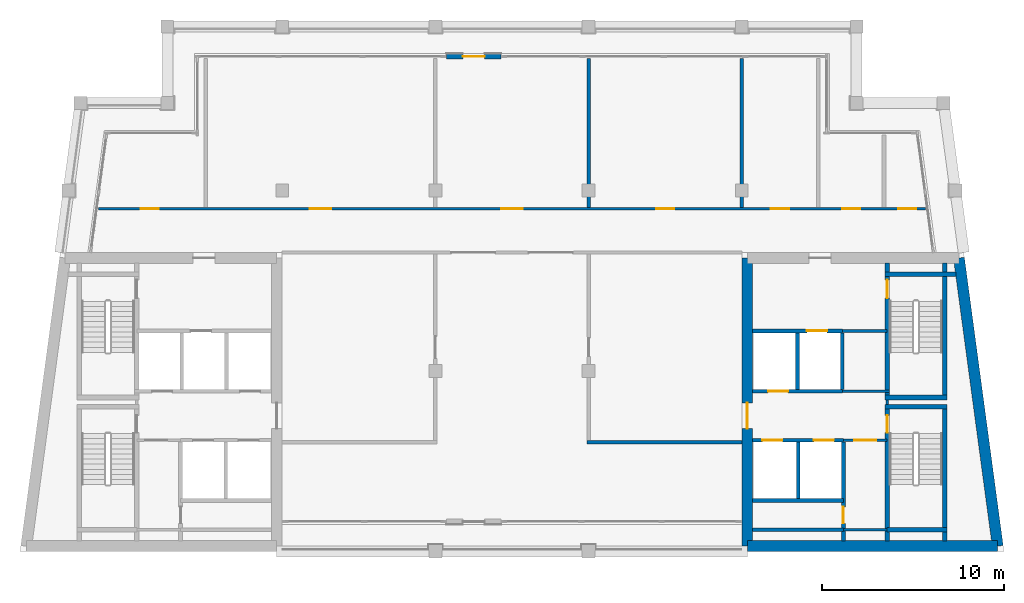
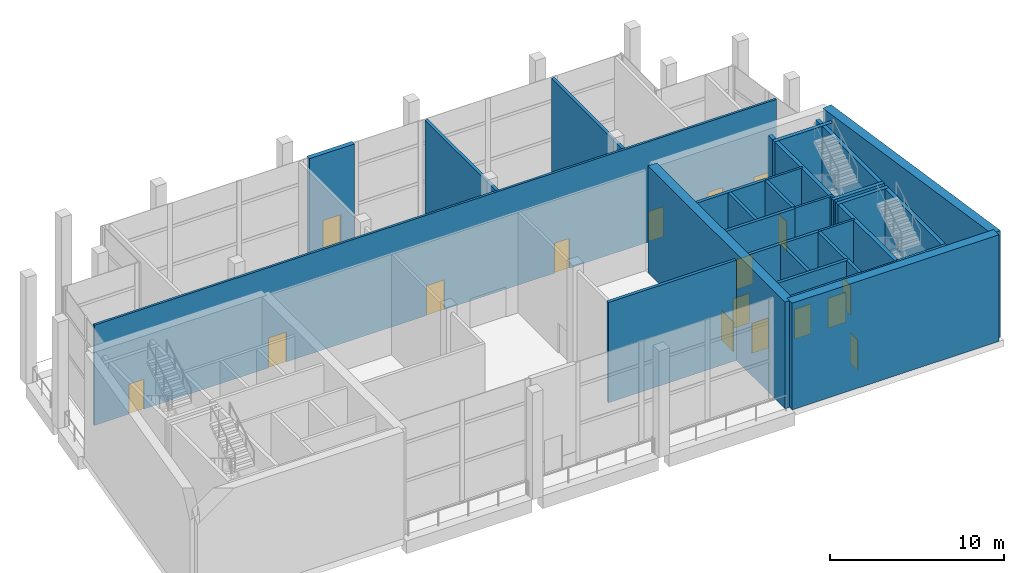
# One storey, part 5 of 9: 30 walls, 17 doors, 17 openings.
"""IFC4 building model written with IfcOpenShell, lengths in metres."""

from ifc_helpers import new_model, si_unit, direction, frame, frame_2d, origin, place, context, subcontext, project, spatial, rectangle, extrude, material, layer, layer_set, type_object, element, fill, save


model = new_model("IFC4")

# Units and contexts
model_context = context("Model", 3, precision=1e-05, world=origin(), true_north=direction((0.0, 1.0)))
body_context = subcontext(model_context, "Body", "Model", "MODEL_VIEW")
ifc_project = project(units=[si_unit("LENGTHUNIT", "METRE"), si_unit("AREAUNIT", "SQUARE_METRE"), si_unit("VOLUMEUNIT", "CUBIC_METRE"), si_unit("PLANEANGLEUNIT", "RADIAN"), si_unit("MASSUNIT", "GRAM", prefix="KILO")], contexts=[model_context])

# Site, building, storey
site_placement = place(None, origin())
site = spatial("IfcSite", under=ifc_project, at=site_placement, CompositionType="ELEMENT")
building_placement = place(site_placement, origin())
building = spatial("IfcBuilding", under=site, at=building_placement, Name="Candeia Pilgrim Tower and Theatre", CompositionType="ELEMENT")
storey_placement = place(building_placement, frame((0.0, 0.0, 307.89990234375)))
storey = spatial("IfcBuildingStorey", under=building, at=storey_placement, Name="L75", CompositionType="ELEMENT", Elevation=307.89990234375)

# Walls
ifc_material_1 = material(Name="Concrete C40/50", Category="concrete")
ifc_layer_1 = layer(ifc_material_1, 0.60009765625)
ifc_layer_set_1 = layer_set([ifc_layer_1], Name="Core wall 600 C40/50")
wall_type_1 = type_object("IfcWallType", Name="Core wall 600 C40/50", PredefinedType="SHEAR", material=ifc_layer_set_1)
wall_1_placement = place(storey_placement, frame((137.906982421875, 132.10009765625, 0.0), z_axis=(0.0, 0.0, 1.0), x_axis=(0.13341345841, -0.991060466932, 0.0)))
element("IfcWall", 1, at=wall_1_placement, inside=storey, type_object=wall_type_1, Name="Core wall E2", PredefinedType="SHEAR", context=body_context, shape_type="SweptSolid", body=[
    extrude(rectangle(XDim=15.942626953125, YDim=0.60009765625, at=frame_2d((7.97119140625, 0.0))), origin(), (0.0, 0.0, 1.0), 7.5),
])
wall_2_placement = place(storey_placement, frame((140.033935546875, 116.300048828125, 0.0), z_axis=(0.0, 0.0, 1.0), x_axis=(-1.0, 0.0, 0.0)))
element("IfcWall", 2, at=wall_2_placement, inside=storey, type_object=wall_type_1, Name="Core wall E3", PredefinedType="SHEAR", context=body_context, shape_type="SweptSolid", body=[
    extrude(rectangle(XDim=13.73388671875, YDim=0.60009765625, at=frame_2d((6.866943359375, 0.0))), origin(), (0.0, 0.0, 1.0), 7.5),
])

# Wall, opening, door
wall_3_placement = place(storey_placement, frame((126.300048828125, 116.300048828125, 0.0), z_axis=(0.0, 0.0, 1.0), x_axis=(0.0, 1.0, 0.0)))
wall_3 = element("IfcWall", 3, at=wall_3_placement, inside=storey, type_object=wall_type_1, Name="Core wall E4", PredefinedType="SHEAR", context=body_context, shape_type="SweptSolid", body=[
    extrude(rectangle(XDim=15.800048828125, YDim=0.60009765625, at=frame_2d((7.89990234375, 0.0))), origin(), (0.0, 0.0, 1.0), 7.5),
])
opening_1_placement = place(wall_3_placement, frame((6.449951171875, 0.0, 0.0)))
opening_1 = element("IfcOpeningElement", 4, at=opening_1_placement, cuts=wall_3, Name="Opening L75-D023", PredefinedType="OPENING", context=body_context, shape_type="SweptSolid", body=[
    extrude(rectangle(XDim=1.39990234375, YDim=2.10009765625, at=frame_2d((0.699951171875, 1.050048828125))), frame((0.0, 0.31005859375, 0.0), z_axis=(0.0, -1.0, 0.0), x_axis=(1.0, 0.0, 0.0)), (0.0, 0.0, 1.0), 0.6201171875),
])
ifc_material_2 = material(Name="Steel fire door set", Category="steel")
door_type_1 = type_object("IfcDoorType", Name="D-1400-FD60", OperationType="NOTDEFINED", PredefinedType="DOOR", material=ifc_material_2)
door_1_placement = place(opening_1_placement, origin())
door_1 = element("IfcDoor", 5, at=door_1_placement, inside=storey, type_object=door_type_1, Name="Door L75-D023", OperationType="SINGLE_SWING_LEFT", OverallHeight=2.10009765625, OverallWidth=1.39990234375, PredefinedType="DOOR", context=body_context, shape_type="SweptSolid", body=[
    extrude(rectangle(XDim=1.39990234375, YDim=2.10009765625, at=frame_2d((0.699951171875, 1.050048828125))), frame((0.0, 0.02490234375, 0.0), z_axis=(0.0, -1.0, 0.0), x_axis=(1.0, 0.0, 0.0)), (0.0, 0.0, 1.0), 0.050048828125),
])
fill(opening_1, door_1)

ifc_material_3 = material(Name="Ceramic block masonry", Category="masonry")
ifc_layer_2 = layer(ifc_material_3, 0.300048828125)
ifc_layer_set_2 = layer_set([ifc_layer_2], Name="EW2 entrance infill wall 300")
wall_type_2 = type_object("IfcWallType", Name="EW2 entrance infill wall 300", PredefinedType="SOLIDWALL", material=ifc_layer_set_2)
wall_4_placement = place(storey_placement, frame((112.800048828125, 143.14990234375, 0.0), z_axis=(0.0, 0.0, 1.0), x_axis=(-1.0, 0.0, 0.0)))
wall_4 = element("IfcWall", 6, at=wall_4_placement, inside=storey, type_object=wall_type_2, Name="Infill wall L75", PredefinedType="SOLIDWALL", context=body_context, shape_type="SweptSolid", body=[
    extrude(rectangle(XDim=3.0, YDim=0.300048828125, at=frame_2d((1.5, 0.0))), origin(), (0.0, 0.0, 1.0), 7.050048828125),
])
opening_2_placement = place(wall_4_placement, frame((0.89990234375, 0.0, 0.0)))
opening_2 = element("IfcOpeningElement", 7, at=opening_2_placement, cuts=wall_4, Name="Opening L75-ED692", PredefinedType="OPENING", context=body_context, shape_type="SweptSolid", body=[
    extrude(rectangle(XDim=1.199951171875, YDim=2.39990234375, at=frame_2d((0.60009765625, 1.199951171875))), frame((0.0, 0.16015625, 0.0), z_axis=(0.0, -1.0, 0.0), x_axis=(1.0, 0.0, 0.0)), (0.0, 0.0, 1.0), 0.320068359375),
])
ifc_material_4 = material(Name="Aluminium framed glazed door", Category="aluminium")
door_type_2 = type_object("IfcDoorType", Name="Loggia door 1200x2400", OperationType="DOUBLE_DOOR_SINGLE_SWING", PredefinedType="DOOR", material=ifc_material_4)
door_2_placement = place(opening_2_placement, origin())
door_2 = element("IfcDoor", 8, at=door_2_placement, inside=storey, type_object=door_type_2, Name="Loggia door L75-ED692", OperationType="DOUBLE_DOOR_SINGLE_SWING", OverallHeight=2.39990234375, OverallWidth=1.199951171875, PredefinedType="DOOR", context=body_context, shape_type="SweptSolid", body=[
    extrude(rectangle(XDim=1.199951171875, YDim=2.39990234375, at=frame_2d((0.60009765625, 1.199951171875))), frame((0.0, 0.02490234375, 0.0), z_axis=(0.0, -1.0, 0.0), x_axis=(1.0, 0.0, 0.0)), (0.0, 0.0, 1.0), 0.050048828125),
])
fill(opening_2, door_2)

# Wall
ifc_material_5 = material(Name="Gypsum board partition on steel studs", Category="steel")
ifc_layer_3 = layer(ifc_material_5, 0.14990234375)
ifc_layer_set_3 = layer_set([ifc_layer_3], Name="PW-150 lobby wall")
wall_type_3 = type_object("IfcWallType", Name="PW-150 lobby wall", PredefinedType="PARTITIONING", material=ifc_layer_set_3)
wall_5_placement = place(storey_placement, frame((131.572998046875, 117.199951171875, 0.0), z_axis=(0.0, 0.0, 1.0), x_axis=(1.0, 0.0, 0.0)))
element("IfcWall", 9, at=wall_5_placement, inside=storey, type_object=wall_type_3, Name="Lobby wall L75-004", PredefinedType="PARTITIONING", context=body_context, shape_type="SweptSolid", body=[
    extrude(rectangle(XDim=2.39990234375, YDim=0.14990234375, at=frame_2d((1.199951171875, 0.0))), origin(), (0.0, 0.0, 1.0), 7.050048828125),
])

# Wall, opening, door
wall_6_placement = place(storey_placement, frame((131.572998046875, 122.10009765625, 0.0), z_axis=(0.0, 0.0, 1.0), x_axis=(1.0, 0.0, 0.0)))
wall_6 = element("IfcWall", 10, at=wall_6_placement, inside=storey, type_object=wall_type_3, Name="Lobby wall L75-014", PredefinedType="PARTITIONING", context=body_context, shape_type="SweptSolid", body=[
    extrude(rectangle(XDim=2.39990234375, YDim=0.14990234375, at=frame_2d((1.199951171875, 0.0))), origin(), (0.0, 0.0, 1.0), 7.050048828125),
])
opening_3_placement = place(wall_6_placement, frame((0.60009765625, 0.0, 0.0)))
opening_3 = element("IfcOpeningElement", 11, at=opening_3_placement, cuts=wall_6, Name="Opening L75-D016", PredefinedType="OPENING", context=body_context, shape_type="SweptSolid", body=[
    extrude(rectangle(XDim=1.199951171875, YDim=2.10009765625, at=frame_2d((0.60009765625, 1.050048828125))), frame((0.0, 0.0849609375, 0.0), z_axis=(0.0, -1.0, 0.0), x_axis=(1.0, 0.0, 0.0)), (0.0, 0.0, 1.0), 0.169921875),
])
door_type_3 = type_object("IfcDoorType", Name="D-1200-FD60", OperationType="NOTDEFINED", PredefinedType="DOOR", material=ifc_material_2)
door_3_placement = place(opening_3_placement, origin())
door_3 = element("IfcDoor", 12, at=door_3_placement, inside=storey, type_object=door_type_3, Name="Door L75-D016", OperationType="SINGLE_SWING_RIGHT", OverallHeight=2.10009765625, OverallWidth=1.199951171875, PredefinedType="DOOR", context=body_context, shape_type="SweptSolid", body=[
    extrude(rectangle(XDim=1.199951171875, YDim=2.10009765625, at=frame_2d((0.60009765625, 1.050048828125))), frame((0.0, 0.02490234375, 0.0), z_axis=(0.0, -1.0, 0.0), x_axis=(1.0, 0.0, 0.0)), (0.0, 0.0, 1.0), 0.050048828125),
])
fill(opening_3, door_3)

# Walls
wall_7_placement = place(storey_placement, frame((131.515380859375, 124.800048828125, 0.0), z_axis=(0.0, 0.0, 1.0), x_axis=(1.0, 0.0, 0.0)))
element("IfcWall", 13, at=wall_7_placement, inside=storey, type_object=wall_type_3, Name="Lobby wall L75-021", PredefinedType="PARTITIONING", context=body_context, shape_type="SweptSolid", body=[
    extrude(rectangle(XDim=2.58251953125, YDim=0.14990234375, at=frame_2d((1.291259765625, 0.0))), origin(), (0.0, 0.0, 1.0), 7.050048828125),
])
wall_8_placement = place(storey_placement, frame((131.515380859375, 128.10009765625, 0.0), z_axis=(0.0, 0.0, 1.0), x_axis=(1.0, 0.0, 0.0)))
element("IfcWall", 14, at=wall_8_placement, inside=storey, type_object=wall_type_3, Name="Lobby wall L75-024", PredefinedType="PARTITIONING", context=body_context, shape_type="SweptSolid", body=[
    extrude(rectangle(XDim=2.45751953125, YDim=0.14990234375, at=frame_2d((1.228759765625, 0.0))), origin(), (0.0, 0.0, 1.0), 7.050048828125),
])
wall_9_placement = place(storey_placement, frame((133.972900390625, 124.074951171875, 0.0), z_axis=(0.0, 0.0, 1.0), x_axis=(0.0, 1.0, 0.0)))
element("IfcWall", 15, at=wall_9_placement, inside=storey, type_object=wall_type_3, Name="Lobby wall L75-050", PredefinedType="PARTITIONING", context=body_context, shape_type="SweptSolid", body=[
    extrude(rectangle(XDim=0.25, YDim=0.14990234375, at=frame_2d((0.125, 0.0))), origin(), (0.0, 0.0, 1.0), 7.050048828125),
])

# Wall, openings, doors
ifc_layer_4 = layer(ifc_material_5, 0.14990234375)
ifc_layer_set_4 = layer_set([ifc_layer_4], Name="PW-150 unit wall")
wall_type_4 = type_object("IfcWallType", Name="PW-150 unit wall", PredefinedType="PARTITIONING", material=ifc_layer_set_4)
wall_10_placement = place(storey_placement, frame((90.729736328125, 134.800048828125, 0.0), z_axis=(0.0, 0.0, 1.0), x_axis=(1.0, 0.0, 0.0)))
wall_10 = element("IfcWall", 16, at=wall_10_placement, inside=storey, type_object=wall_type_4, Name="Unit wall L75-028", PredefinedType="PARTITIONING", context=body_context, shape_type="SweptSolid", body=[
    extrude(rectangle(XDim=45.340576171875, YDim=0.14990234375, at=frame_2d((22.67041015625, 0.0))), origin(), (0.0, 0.0, 1.0), 7.050048828125),
])
opening_4_placement = place(wall_10_placement, frame((2.30419921875, 0.0, 0.0)))
opening_4 = element("IfcOpeningElement", 17, at=opening_4_placement, cuts=wall_10, Name="Opening L75-D005", PredefinedType="OPENING", context=body_context, shape_type="SweptSolid", body=[
    extrude(rectangle(XDim=1.0, YDim=2.10009765625, at=frame_2d((0.5, 1.050048828125))), frame((0.0, 0.0849609375, 0.0), z_axis=(0.0, -1.0, 0.0), x_axis=(1.0, 0.0, 0.0)), (0.0, 0.0, 1.0), 0.169921875),
])
opening_5_placement = place(wall_10_placement, frame((22.0703125, 0.0, 0.0)))
opening_5 = element("IfcOpeningElement", 18, at=opening_5_placement, cuts=wall_10, Name="Opening L75-D006", PredefinedType="OPENING", context=body_context, shape_type="SweptSolid", body=[
    extrude(rectangle(XDim=1.199951171875, YDim=2.10009765625, at=frame_2d((0.60009765625, 1.050048828125))), frame((0.0, 0.0849609375, 0.0), z_axis=(0.0, -1.0, 0.0), x_axis=(1.0, 0.0, 0.0)), (0.0, 0.0, 1.0), 0.169921875),
])
opening_6_placement = place(wall_10_placement, frame((30.5703125, 0.0, 0.0)))
opening_6 = element("IfcOpeningElement", 19, at=opening_6_placement, cuts=wall_10, Name="Opening L75-D007", PredefinedType="OPENING", context=body_context, shape_type="SweptSolid", body=[
    extrude(rectangle(XDim=1.0, YDim=2.10009765625, at=frame_2d((0.5, 1.050048828125))), frame((0.0, 0.0849609375, 0.0), z_axis=(0.0, -1.0, 0.0), x_axis=(1.0, 0.0, 0.0)), (0.0, 0.0, 1.0), 0.169921875),
])
opening_7_placement = place(wall_10_placement, frame((36.870361328125, 0.0, 0.0)))
opening_7 = element("IfcOpeningElement", 20, at=opening_7_placement, cuts=wall_10, Name="Opening L75-D008", PredefinedType="OPENING", context=body_context, shape_type="SweptSolid", body=[
    extrude(rectangle(XDim=1.0, YDim=2.10009765625, at=frame_2d((0.5, 1.050048828125))), frame((0.0, 0.0849609375, 0.0), z_axis=(0.0, -1.0, 0.0), x_axis=(1.0, 0.0, 0.0)), (0.0, 0.0, 1.0), 0.169921875),
])
opening_8_placement = place(wall_10_placement, frame((40.770263671875, 0.0, 0.0)))
opening_8 = element("IfcOpeningElement", 21, at=opening_8_placement, cuts=wall_10, Name="Opening L75-D009", PredefinedType="OPENING", context=body_context, shape_type="SweptSolid", body=[
    extrude(rectangle(XDim=1.0, YDim=2.10009765625, at=frame_2d((0.5, 1.050048828125))), frame((0.0, 0.0849609375, 0.0), z_axis=(0.0, -1.0, 0.0), x_axis=(1.0, 0.0, 0.0)), (0.0, 0.0, 1.0), 0.169921875),
])
opening_9_placement = place(wall_10_placement, frame((43.836181640625, 0.0, 0.0)))
opening_9 = element("IfcOpeningElement", 22, at=opening_9_placement, cuts=wall_10, Name="Opening L75-D010", PredefinedType="OPENING", context=body_context, shape_type="SweptSolid", body=[
    extrude(rectangle(XDim=1.0, YDim=2.10009765625, at=frame_2d((0.5, 1.050048828125))), frame((0.0, 0.0849609375, 0.0), z_axis=(0.0, -1.0, 0.0), x_axis=(1.0, 0.0, 0.0)), (0.0, 0.0, 1.0), 0.169921875),
])
opening_10_placement = place(wall_10_placement, frame((11.5703125, 0.0, 0.0)))
opening_10 = element("IfcOpeningElement", 23, at=opening_10_placement, cuts=wall_10, Name="Opening L75-D011", PredefinedType="OPENING", context=body_context, shape_type="SweptSolid", body=[
    extrude(rectangle(XDim=1.199951171875, YDim=2.10009765625, at=frame_2d((0.60009765625, 1.050048828125))), frame((0.0, 0.0849609375, 0.0), z_axis=(0.0, -1.0, 0.0), x_axis=(1.0, 0.0, 0.0)), (0.0, 0.0, 1.0), 0.169921875),
])
door_type_4 = type_object("IfcDoorType", Name="D-1000-FD30S", OperationType="NOTDEFINED", PredefinedType="DOOR", material=ifc_material_2)
door_4_placement = place(opening_4_placement, origin())
door_4 = element("IfcDoor", 24, at=door_4_placement, inside=storey, type_object=door_type_4, Name="Door L75-D005", OperationType="SINGLE_SWING_RIGHT", OverallHeight=2.10009765625, OverallWidth=1.0, PredefinedType="DOOR", context=body_context, shape_type="SweptSolid", body=[
    extrude(rectangle(XDim=1.0, YDim=2.10009765625, at=frame_2d((0.5, 1.050048828125))), frame((0.0, 0.02490234375, 0.0), z_axis=(0.0, -1.0, 0.0), x_axis=(1.0, 0.0, 0.0)), (0.0, 0.0, 1.0), 0.050048828125),
])
fill(opening_4, door_4)
door_5_placement = place(opening_6_placement, origin())
door_5 = element("IfcDoor", 25, at=door_5_placement, inside=storey, type_object=door_type_4, Name="Door L75-D007", OperationType="SINGLE_SWING_RIGHT", OverallHeight=2.10009765625, OverallWidth=1.0, PredefinedType="DOOR", context=body_context, shape_type="SweptSolid", body=[
    extrude(rectangle(XDim=1.0, YDim=2.10009765625, at=frame_2d((0.5, 1.050048828125))), frame((0.0, 0.02490234375, 0.0), z_axis=(0.0, -1.0, 0.0), x_axis=(1.0, 0.0, 0.0)), (0.0, 0.0, 1.0), 0.050048828125),
])
fill(opening_6, door_5)
door_6_placement = place(opening_7_placement, origin())
door_6 = element("IfcDoor", 26, at=door_6_placement, inside=storey, type_object=door_type_4, Name="Door L75-D008", OperationType="SINGLE_SWING_LEFT", OverallHeight=2.10009765625, OverallWidth=1.0, PredefinedType="DOOR", context=body_context, shape_type="SweptSolid", body=[
    extrude(rectangle(XDim=1.0, YDim=2.10009765625, at=frame_2d((0.5, 1.050048828125))), frame((0.0, 0.02490234375, 0.0), z_axis=(0.0, -1.0, 0.0), x_axis=(1.0, 0.0, 0.0)), (0.0, 0.0, 1.0), 0.050048828125),
])
fill(opening_7, door_6)
door_7_placement = place(opening_8_placement, origin())
door_7 = element("IfcDoor", 27, at=door_7_placement, inside=storey, type_object=door_type_4, Name="Door L75-D009", OperationType="SINGLE_SWING_RIGHT", OverallHeight=2.10009765625, OverallWidth=1.0, PredefinedType="DOOR", context=body_context, shape_type="SweptSolid", body=[
    extrude(rectangle(XDim=1.0, YDim=2.10009765625, at=frame_2d((0.5, 1.050048828125))), frame((0.0, 0.02490234375, 0.0), z_axis=(0.0, -1.0, 0.0), x_axis=(1.0, 0.0, 0.0)), (0.0, 0.0, 1.0), 0.050048828125),
])
fill(opening_8, door_7)
door_8_placement = place(opening_9_placement, origin())
door_8 = element("IfcDoor", 28, at=door_8_placement, inside=storey, type_object=door_type_4, Name="Door L75-D010", OperationType="SINGLE_SWING_LEFT", OverallHeight=2.10009765625, OverallWidth=1.0, PredefinedType="DOOR", context=body_context, shape_type="SweptSolid", body=[
    extrude(rectangle(XDim=1.0, YDim=2.10009765625, at=frame_2d((0.5, 1.050048828125))), frame((0.0, 0.02490234375, 0.0), z_axis=(0.0, -1.0, 0.0), x_axis=(1.0, 0.0, 0.0)), (0.0, 0.0, 1.0), 0.050048828125),
])
fill(opening_9, door_8)
door_type_5 = type_object("IfcDoorType", Name="D-1200-FD30S", OperationType="NOTDEFINED", PredefinedType="DOOR", material=ifc_material_2)
door_9_placement = place(opening_5_placement, origin())
door_9 = element("IfcDoor", 29, at=door_9_placement, inside=storey, type_object=door_type_5, Name="Door L75-D006", OperationType="SINGLE_SWING_LEFT", OverallHeight=2.10009765625, OverallWidth=1.199951171875, PredefinedType="DOOR", context=body_context, shape_type="SweptSolid", body=[
    extrude(rectangle(XDim=1.199951171875, YDim=2.10009765625, at=frame_2d((0.60009765625, 1.050048828125))), frame((0.0, 0.02490234375, 0.0), z_axis=(0.0, -1.0, 0.0), x_axis=(1.0, 0.0, 0.0)), (0.0, 0.0, 1.0), 0.050048828125),
])
fill(opening_5, door_9)
door_10_placement = place(opening_10_placement, origin())
door_10 = element("IfcDoor", 30, at=door_10_placement, inside=storey, type_object=door_type_3, Name="Door L75-D011", OperationType="SINGLE_SWING_RIGHT", OverallHeight=2.10009765625, OverallWidth=1.199951171875, PredefinedType="DOOR", context=body_context, shape_type="SweptSolid", body=[
    extrude(rectangle(XDim=1.199951171875, YDim=2.10009765625, at=frame_2d((0.60009765625, 1.050048828125))), frame((0.0, 0.02490234375, 0.0), z_axis=(0.0, -1.0, 0.0), x_axis=(1.0, 0.0, 0.0)), (0.0, 0.0, 1.0), 0.050048828125),
])
fill(opening_10, door_10)

# Walls
ifc_layer_5 = layer(ifc_material_5, 0.199951171875)
ifc_layer_set_5 = layer_set([ifc_layer_5], Name="PW-200 party wall")
wall_type_5 = type_object("IfcWallType", Name="PW-200 party wall", PredefinedType="PARTITIONING", material=ifc_layer_set_5)
wall_11_placement = place(storey_placement, frame((117.5, 122.0, 0.0), z_axis=(0.0, 0.0, 1.0), x_axis=(1.0, 0.0, 0.0)))
element("IfcWall", 31, at=wall_11_placement, inside=storey, type_object=wall_type_5, Name="Party wall L75-010", PredefinedType="PARTITIONING", context=body_context, shape_type="SweptSolid", body=[
    extrude(rectangle(XDim=8.5, YDim=0.199951171875, at=frame_2d((4.25, 0.0))), origin(), (0.0, 0.0, 1.0), 7.050048828125),
])
for number, where, z_axis, x_axis, name in (
    (32, (117.60009765625, 134.875, 0.0), (0.0, 0.0, 1.0), (0.0, 1.0, 0.0), "Party wall L75-042"),
    (33, (126.0, 134.875, 0.0), (0.0, 0.0, 1.0), (0.0, 1.0, 0.0), "Party wall L75-043"),
):
    element("IfcWall", number, at=place(storey_placement, frame(where, z_axis=z_axis, x_axis=x_axis)), inside=storey, type_object=wall_type_5, Name=name, PredefinedType="PARTITIONING", context=body_context, shape_type="SweptSolid", body=[
        extrude(rectangle(XDim=8.1650390625, YDim=0.199951171875, at=frame_2d((4.08251953125, 0.0))), origin(), (0.0, 0.0, 1.0), 7.050048828125),
    ])
ifc_layer_6 = layer(ifc_material_1, 0.199951171875)
ifc_layer_set_6 = layer_set([ifc_layer_6], Name="SW-200 shaft wall")
wall_type_6 = type_object("IfcWallType", Name="SW-200 shaft wall", PredefinedType="PARTITIONING", material=ifc_layer_set_6)
for number, where, z_axis, x_axis, name in (
    (34, (126.60009765625, 117.199951171875, 0.0), (0.0, 0.0, 1.0), (1.0, 0.0, 0.0), "Shaft wall L75-002"),
    (35, (126.60009765625, 118.800048828125, 0.0), (0.0, 0.0, 1.0), (1.0, 0.0, 0.0), "Shaft wall L75-008"),
):
    element("IfcWall", number, at=place(storey_placement, frame(where, z_axis=z_axis, x_axis=x_axis)), inside=storey, type_object=wall_type_6, Name=name, PredefinedType="PARTITIONING", context=body_context, shape_type="SweptSolid", body=[
        extrude(rectangle(XDim=4.972900390625, YDim=0.199951171875, at=frame_2d((2.486328125, 0.0))), origin(), (0.0, 0.0, 1.0), 7.050048828125),
    ])

# Wall, openings, doors
wall_12_placement = place(storey_placement, frame((126.60009765625, 122.10009765625, 0.0), z_axis=(0.0, 0.0, 1.0), x_axis=(1.0, 0.0, 0.0)))
wall_12 = element("IfcWall", 36, at=wall_12_placement, inside=storey, type_object=wall_type_6, Name="Shaft wall L75-012", PredefinedType="PARTITIONING", context=body_context, shape_type="SweptSolid", body=[
    extrude(rectangle(XDim=4.972900390625, YDim=0.199951171875, at=frame_2d((2.486328125, 0.0))), origin(), (0.0, 0.0, 1.0), 7.050048828125),
])
opening_11_placement = place(wall_12_placement, frame((3.35107421875, 0.0, 0.0)))
opening_11 = element("IfcOpeningElement", 37, at=opening_11_placement, cuts=wall_12, Name="Opening L75-LD06", PredefinedType="OPENING", context=body_context, shape_type="SweptSolid", body=[
    extrude(rectangle(XDim=1.10009765625, YDim=2.10009765625, at=frame_2d((0.550048828125, 1.050048828125))), frame((0.0, 0.10986328125, 0.0), z_axis=(0.0, -1.0, 0.0), x_axis=(1.0, 0.0, 0.0)), (0.0, 0.0, 1.0), 0.219970703125),
])
opening_12_placement = place(wall_12_placement, frame((0.52197265625, 0.0, 0.0)))
opening_12 = element("IfcOpeningElement", 38, at=opening_12_placement, cuts=wall_12, Name="Opening L75-LD07", PredefinedType="OPENING", context=body_context, shape_type="SweptSolid", body=[
    extrude(rectangle(XDim=1.10009765625, YDim=2.10009765625, at=frame_2d((0.550048828125, 1.050048828125))), frame((0.0, 0.10986328125, 0.0), z_axis=(0.0, -1.0, 0.0), x_axis=(1.0, 0.0, 0.0)), (0.0, 0.0, 1.0), 0.219970703125),
])
ifc_material_6 = material(Name="Glazed aluminium landing door", Category="aluminium")
door_type_6 = type_object("IfcDoorType", Name="LD-1100-EI120", OperationType="SLIDING_TO_LEFT", PredefinedType="DOOR", material=ifc_material_6)
door_11_placement = place(opening_11_placement, origin())
door_11 = element("IfcDoor", 39, at=door_11_placement, inside=storey, type_object=door_type_6, Name="Landing door 06 L75", OperationType="SLIDING_TO_LEFT", OverallHeight=2.10009765625, OverallWidth=1.10009765625, PredefinedType="DOOR", context=body_context, shape_type="SweptSolid", body=[
    extrude(rectangle(XDim=1.10009765625, YDim=2.10009765625, at=frame_2d((0.550048828125, 1.050048828125))), frame((0.0, 0.02490234375, 0.0), z_axis=(0.0, -1.0, 0.0), x_axis=(1.0, 0.0, 0.0)), (0.0, 0.0, 1.0), 0.050048828125),
])
fill(opening_11, door_11)
door_12_placement = place(opening_12_placement, origin())
door_12 = element("IfcDoor", 40, at=door_12_placement, inside=storey, type_object=door_type_6, Name="Landing door 07 L75", OperationType="SLIDING_TO_LEFT", OverallHeight=2.10009765625, OverallWidth=1.10009765625, PredefinedType="DOOR", context=body_context, shape_type="SweptSolid", body=[
    extrude(rectangle(XDim=1.10009765625, YDim=2.10009765625, at=frame_2d((0.550048828125, 1.050048828125))), frame((0.0, 0.02490234375, 0.0), z_axis=(0.0, -1.0, 0.0), x_axis=(1.0, 0.0, 0.0)), (0.0, 0.0, 1.0), 0.050048828125),
])
fill(opening_12, door_12)

# Wall, opening, door
wall_13_placement = place(storey_placement, frame((126.60009765625, 124.800048828125, 0.0), z_axis=(0.0, 0.0, 1.0), x_axis=(1.0, 0.0, 0.0)))
wall_13 = element("IfcWall", 41, at=wall_13_placement, inside=storey, type_object=wall_type_6, Name="Shaft wall L75-020", PredefinedType="PARTITIONING", context=body_context, shape_type="SweptSolid", body=[
    extrude(rectangle(XDim=4.915283203125, YDim=0.199951171875, at=frame_2d((2.45751953125, 0.0))), origin(), (0.0, 0.0, 1.0), 7.050048828125),
])
opening_13_placement = place(wall_13_placement, frame((0.843017578125, 0.0, 0.0)))
opening_13 = element("IfcOpeningElement", 42, at=opening_13_placement, cuts=wall_13, Name="Opening L75-LD09", PredefinedType="OPENING", context=body_context, shape_type="SweptSolid", body=[
    extrude(rectangle(XDim=1.10009765625, YDim=2.10009765625, at=frame_2d((0.550048828125, 1.050048828125))), frame((0.0, 0.10986328125, 0.0), z_axis=(0.0, -1.0, 0.0), x_axis=(1.0, 0.0, 0.0)), (0.0, 0.0, 1.0), 0.219970703125),
])
door_13_placement = place(opening_13_placement, origin())
door_13 = element("IfcDoor", 43, at=door_13_placement, inside=storey, type_object=door_type_6, Name="Landing door 09 L75", OperationType="SLIDING_TO_LEFT", OverallHeight=2.10009765625, OverallWidth=1.10009765625, PredefinedType="DOOR", context=body_context, shape_type="SweptSolid", body=[
    extrude(rectangle(XDim=1.10009765625, YDim=2.10009765625, at=frame_2d((0.550048828125, 1.050048828125))), frame((0.0, 0.02490234375, 0.0), z_axis=(0.0, -1.0, 0.0), x_axis=(1.0, 0.0, 0.0)), (0.0, 0.0, 1.0), 0.050048828125),
])
fill(opening_13, door_13)

wall_14_placement = place(storey_placement, frame((126.60009765625, 128.10009765625, 0.0), z_axis=(0.0, 0.0, 1.0), x_axis=(1.0, 0.0, 0.0)))
wall_14 = element("IfcWall", 44, at=wall_14_placement, inside=storey, type_object=wall_type_6, Name="Shaft wall L75-023", PredefinedType="PARTITIONING", context=body_context, shape_type="SweptSolid", body=[
    extrude(rectangle(XDim=4.915283203125, YDim=0.199951171875, at=frame_2d((2.45751953125, 0.0))), origin(), (0.0, 0.0, 1.0), 7.050048828125),
])
opening_14_placement = place(wall_14_placement, frame((2.971923828125, 0.0, 0.0)))
opening_14 = element("IfcOpeningElement", 45, at=opening_14_placement, cuts=wall_14, Name="Opening L75-LD08", PredefinedType="OPENING", context=body_context, shape_type="SweptSolid", body=[
    extrude(rectangle(XDim=1.10009765625, YDim=2.10009765625, at=frame_2d((0.550048828125, 1.050048828125))), frame((0.0, 0.10986328125, 0.0), z_axis=(0.0, -1.0, 0.0), x_axis=(1.0, 0.0, 0.0)), (0.0, 0.0, 1.0), 0.219970703125),
])
door_14_placement = place(opening_14_placement, origin())
door_14 = element("IfcDoor", 46, at=door_14_placement, inside=storey, type_object=door_type_6, Name="Landing door 08 L75", OperationType="SLIDING_TO_LEFT", OverallHeight=2.10009765625, OverallWidth=1.10009765625, PredefinedType="DOOR", context=body_context, shape_type="SweptSolid", body=[
    extrude(rectangle(XDim=1.10009765625, YDim=2.10009765625, at=frame_2d((0.550048828125, 1.050048828125))), frame((0.0, 0.02490234375, 0.0), z_axis=(0.0, -1.0, 0.0), x_axis=(1.0, 0.0, 0.0)), (0.0, 0.0, 1.0), 0.050048828125),
])
fill(opening_14, door_14)

# Walls
for number, where, z_axis, x_axis, name in (
    (47, (129.0576171875, 124.89990234375, 0.0), (0.0, 0.0, 1.0), (0.0, 1.0, 0.0), "Shaft wall L75-044"),
    (48, (129.08642578125, 118.89990234375, 0.0), (0.0, 0.0, 1.0), (0.0, 1.0, 0.0), "Shaft wall L75-045"),
    (49, (131.515380859375, 124.89990234375, 0.0), (0.0, 0.0, 1.0), (0.0, 1.0, 0.0), "Shaft wall L75-047"),
):
    element("IfcWall", number, at=place(storey_placement, frame(where, z_axis=z_axis, x_axis=x_axis)), inside=storey, type_object=wall_type_6, Name=name, PredefinedType="PARTITIONING", context=body_context, shape_type="SweptSolid", body=[
        extrude(rectangle(XDim=3.10009765625, YDim=0.199951171875, at=frame_2d((1.550048828125, 0.0))), origin(), (0.0, 0.0, 1.0), 7.050048828125),
    ])

# Wall, opening, door
wall_15_placement = place(storey_placement, frame((131.572998046875, 116.570068359375, 0.0), z_axis=(0.0, 0.0, 1.0), x_axis=(0.0, 1.0, 0.0)))
wall_15 = element("IfcWall", 50, at=wall_15_placement, inside=storey, type_object=wall_type_6, Name="Shaft wall L75-048", PredefinedType="PARTITIONING", context=body_context, shape_type="SweptSolid", body=[
    extrude(rectangle(XDim=5.429931640625, YDim=0.199951171875, at=frame_2d((2.71484375, 0.0))), origin(), (0.0, 0.0, 1.0), 7.050048828125),
])
opening_15_placement = place(wall_15_placement, frame((0.97998046875, 0.0, 0.0)))
opening_15 = element("IfcOpeningElement", 51, at=opening_15_placement, cuts=wall_15, Name="Opening L75-D019", PredefinedType="OPENING", context=body_context, shape_type="SweptSolid", body=[
    extrude(rectangle(XDim=0.89990234375, YDim=2.10009765625, at=frame_2d((0.449951171875, 1.050048828125))), frame((0.0, 0.10986328125, 0.0), z_axis=(0.0, -1.0, 0.0), x_axis=(1.0, 0.0, 0.0)), (0.0, 0.0, 1.0), 0.219970703125),
])
door_type_7 = type_object("IfcDoorType", Name="D-900-FD60", OperationType="NOTDEFINED", PredefinedType="DOOR", material=ifc_material_2)
door_15_placement = place(opening_15_placement, origin())
door_15 = element("IfcDoor", 52, at=door_15_placement, inside=storey, type_object=door_type_7, Name="Door L75-D019", OperationType="SINGLE_SWING_LEFT", OverallHeight=2.10009765625, OverallWidth=0.89990234375, PredefinedType="DOOR", context=body_context, shape_type="SweptSolid", body=[
    extrude(rectangle(XDim=0.89990234375, YDim=2.10009765625, at=frame_2d((0.449951171875, 1.050048828125))), frame((0.0, 0.02490234375, 0.0), z_axis=(0.0, -1.0, 0.0), x_axis=(1.0, 0.0, 0.0)), (0.0, 0.0, 1.0), 0.050048828125),
])
fill(opening_15, door_15)

# Walls
ifc_layer_7 = layer(ifc_material_1, 0.25)
ifc_layer_set_7 = layer_set([ifc_layer_7], Name="SW-250 stair wall")
wall_type_7 = type_object("IfcWallType", Name="SW-250 stair wall", PredefinedType="PARTITIONING", material=ifc_layer_set_7)
wall_16_placement = place(storey_placement, frame((133.972900390625, 117.199951171875, 0.0), z_axis=(0.0, 0.0, 1.0), x_axis=(1.0, 0.0, 0.0)))
element("IfcWall", 53, at=wall_16_placement, inside=storey, type_object=wall_type_7, Name="Stair wall L75-006", PredefinedType="PARTITIONING", context=body_context, shape_type="SweptSolid", body=[
    extrude(rectangle(XDim=3.275146484375, YDim=0.25, at=frame_2d((1.6376953125, 0.0))), origin(), (0.0, 0.0, 1.0), 7.050048828125),
])
for number, where, z_axis, x_axis, name in (
    (54, (133.847900390625, 123.949951171875, 0.0), (0.0, 0.0, 1.0), (1.0, 0.0, 0.0), "Stair wall L75-016"),
    (55, (133.847900390625, 124.449951171875, 0.0), (0.0, 0.0, 1.0), (1.0, 0.0, 0.0), "Stair wall L75-018"),
):
    element("IfcWall", number, at=place(storey_placement, frame(where, z_axis=z_axis, x_axis=x_axis)), inside=storey, type_object=wall_type_7, Name=name, PredefinedType="PARTITIONING", context=body_context, shape_type="SweptSolid", body=[
        extrude(rectangle(XDim=3.400146484375, YDim=0.25, at=frame_2d((1.7001953125, 0.0))), origin(), (0.0, 0.0, 1.0), 7.050048828125),
    ])
wall_17_placement = place(storey_placement, frame((133.847900390625, 131.199951171875, 0.0), z_axis=(0.0, 0.0, 1.0), x_axis=(1.0, 0.0, 0.0)))
element("IfcWall", 56, at=wall_17_placement, inside=storey, type_object=wall_type_7, Name="Stair wall L75-026", PredefinedType="PARTITIONING", context=body_context, shape_type="SweptSolid", body=[
    extrude(rectangle(XDim=3.907470703125, YDim=0.25, at=frame_2d((1.95361328125, 0.0))), origin(), (0.0, 0.0, 1.0), 7.050048828125),
])

# Wall, opening, door
wall_18_placement = place(storey_placement, frame((133.972900390625, 116.570068359375, 0.0), z_axis=(0.0, 0.0, 1.0), x_axis=(0.0, 1.0, 0.0)))
wall_18 = element("IfcWall", 57, at=wall_18_placement, inside=storey, type_object=wall_type_7, Name="Stair wall L75-051", PredefinedType="PARTITIONING", context=body_context, shape_type="SweptSolid", body=[
    extrude(rectangle(XDim=7.2548828125, YDim=0.25, at=frame_2d((3.62744140625, 0.0))), origin(), (0.0, 0.0, 1.0), 7.050048828125),
])
opening_16_placement = place(wall_18_placement, frame((5.955078125, 0.0, 0.0)))
opening_16 = element("IfcOpeningElement", 58, at=opening_16_placement, cuts=wall_18, Name="Opening L75-D017", PredefinedType="OPENING", context=body_context, shape_type="SweptSolid", body=[
    extrude(rectangle(XDim=0.949951171875, YDim=2.10009765625, at=frame_2d((0.47509765625, 1.050048828125))), frame((0.0, 0.135009765625, 0.0), z_axis=(0.0, -1.0, 0.0), x_axis=(1.0, 0.0, 0.0)), (0.0, 0.0, 1.0), 0.27001953125),
])
door_type_8 = type_object("IfcDoorType", Name="D-950-FD60", OperationType="NOTDEFINED", PredefinedType="DOOR", material=ifc_material_2)
door_16_placement = place(opening_16_placement, origin())
door_16 = element("IfcDoor", 59, at=door_16_placement, inside=storey, type_object=door_type_8, Name="Door L75-D017", OperationType="SINGLE_SWING_LEFT", OverallHeight=2.10009765625, OverallWidth=0.949951171875, PredefinedType="DOOR", context=body_context, shape_type="SweptSolid", body=[
    extrude(rectangle(XDim=0.949951171875, YDim=2.10009765625, at=frame_2d((0.47509765625, 1.050048828125))), frame((0.0, 0.02490234375, 0.0), z_axis=(0.0, -1.0, 0.0), x_axis=(1.0, 0.0, 0.0)), (0.0, 0.0, 1.0), 0.050048828125),
])
fill(opening_16, door_16)

wall_19_placement = place(storey_placement, frame((133.972900390625, 124.574951171875, 0.0), z_axis=(0.0, 0.0, 1.0), x_axis=(0.0, 1.0, 0.0)))
wall_19 = element("IfcWall", 60, at=wall_19_placement, inside=storey, type_object=wall_type_7, Name="Stair wall L75-052", PredefinedType="PARTITIONING", context=body_context, shape_type="SweptSolid", body=[
    extrude(rectangle(XDim=7.255126953125, YDim=0.25, at=frame_2d((3.62744140625, 0.0))), origin(), (0.0, 0.0, 1.0), 7.050048828125),
])
opening_17_placement = place(wall_19_placement, frame((5.324951171875, 0.0, 0.0)))
opening_17 = element("IfcOpeningElement", 61, at=opening_17_placement, cuts=wall_19, Name="Opening L75-D018", PredefinedType="OPENING", context=body_context, shape_type="SweptSolid", body=[
    extrude(rectangle(XDim=1.0, YDim=2.10009765625, at=frame_2d((0.5, 1.050048828125))), frame((0.0, 0.135009765625, 0.0), z_axis=(0.0, -1.0, 0.0), x_axis=(1.0, 0.0, 0.0)), (0.0, 0.0, 1.0), 0.27001953125),
])
door_type_9 = type_object("IfcDoorType", Name="D-1000-FD60", OperationType="NOTDEFINED", PredefinedType="DOOR", material=ifc_material_2)
door_17_placement = place(opening_17_placement, origin())
door_17 = element("IfcDoor", 62, at=door_17_placement, inside=storey, type_object=door_type_9, Name="Door L75-D018", OperationType="SINGLE_SWING_RIGHT", OverallHeight=2.10009765625, OverallWidth=1.0, PredefinedType="DOOR", context=body_context, shape_type="SweptSolid", body=[
    extrude(rectangle(XDim=1.0, YDim=2.10009765625, at=frame_2d((0.5, 1.050048828125))), frame((0.0, 0.02490234375, 0.0), z_axis=(0.0, -1.0, 0.0), x_axis=(1.0, 0.0, 0.0)), (0.0, 0.0, 1.0), 0.050048828125),
])
fill(opening_17, door_17)

# Walls
wall_20_placement = place(storey_placement, frame((137.123046875, 116.570068359375, 0.0), z_axis=(0.0, 0.0, 1.0), x_axis=(0.0, 1.0, 0.0)))
element("IfcWall", 63, at=wall_20_placement, inside=storey, type_object=wall_type_7, Name="Stair wall L75-053", PredefinedType="PARTITIONING", context=body_context, shape_type="SweptSolid", body=[
    extrude(rectangle(XDim=7.2548828125, YDim=0.25, at=frame_2d((3.62744140625, 0.0))), origin(), (0.0, 0.0, 1.0), 7.050048828125),
])
wall_21_placement = place(storey_placement, frame((137.123046875, 124.574951171875, 0.0), z_axis=(0.0, 0.0, 1.0), x_axis=(0.0, 1.0, 0.0)))
element("IfcWall", 64, at=wall_21_placement, inside=storey, type_object=wall_type_7, Name="Stair wall L75-054", PredefinedType="PARTITIONING", context=body_context, shape_type="SweptSolid", body=[
    extrude(rectangle(XDim=7.255126953125, YDim=0.25, at=frame_2d((3.62744140625, 0.0))), origin(), (0.0, 0.0, 1.0), 7.050048828125),
])

save(model, "model.ifc")
